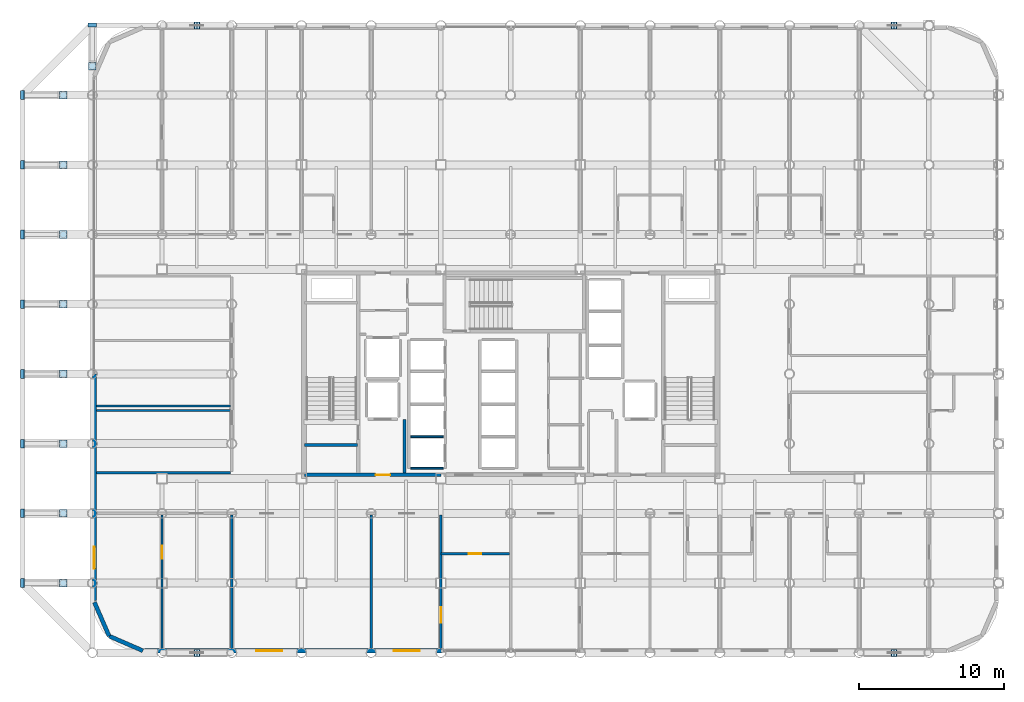
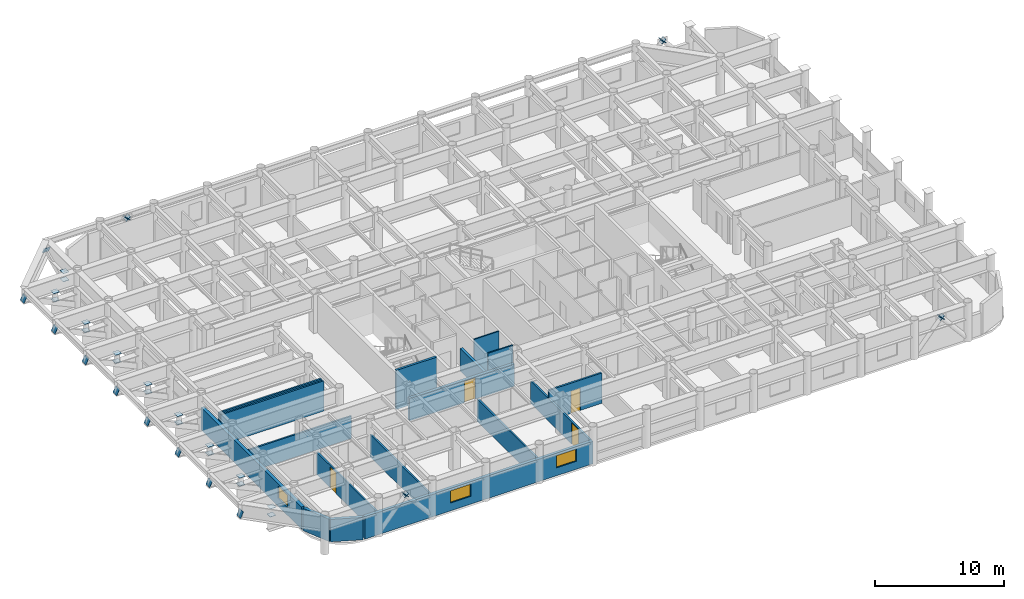
# One storey, part 17 of 23: 35 plates, 17 walls, 4 doors, 3 windows, 7 openings.
"""IFC4 building model written with IfcOpenShell, lengths in metres."""

from ifc_helpers import new_model, si_unit, direction, frame, frame_2d, origin, origin_2d, place, context, subcontext, project, spatial, polyline, rectangle, outline, extrude, material, layer, layer_set, type_object, element, fill, save


model = new_model("IFC4")

# Units and contexts
model_context = context("Model", 3, precision=1e-05, world=origin(), true_north=direction((0.0, 1.0)))
body_context = subcontext(model_context, "Body", "Model", "MODEL_VIEW")
ifc_project = project(units=[si_unit("LENGTHUNIT", "METRE"), si_unit("AREAUNIT", "SQUARE_METRE"), si_unit("VOLUMEUNIT", "CUBIC_METRE"), si_unit("PLANEANGLEUNIT", "RADIAN"), si_unit("MASSUNIT", "GRAM", prefix="KILO")], contexts=[model_context])

# Site, building, storey
site_placement = place(None, origin())
site = spatial("IfcSite", under=ifc_project, at=site_placement, CompositionType="ELEMENT")
building_placement = place(site_placement, origin())
building = spatial("IfcBuilding", under=site, at=building_placement, Name="Kallvorn Hotel Tower", CompositionType="ELEMENT")
storey_placement = place(building_placement, frame((0.0, 0.0, 121.10009765625)))
storey = spatial("IfcBuildingStorey", under=building, at=storey_placement, Name="L29", CompositionType="ELEMENT", Elevation=121.10009765625)

# Plates
ifc_material_1 = material(Name="Structural steel S355JR", Category="steel")
ifc_layer_1 = layer(ifc_material_1, 0.030029296875)
ifc_layer_set_1 = layer_set([ifc_layer_1], Name="PLT_CAP_30")
plate_type = type_object("IfcPlateType", Name="PLT_CAP_30", PredefinedType="SHEET", material=ifc_layer_set_1)
for number, where, z_axis, x_axis, name in (
    (1, (-30.800048828125, -14.39990234375, 1.3701171875), (0.0, 0.0, 1.0), (1.0, 0.0, 0.0), "L29 Prop Column End Cap Plate 01B"),
    (2, (-30.800048828125, -14.39990234375, 2.1396484375), (0.0, 0.0, 1.0), (1.0, 0.0, 0.0), "L29 Prop Column End Cap Plate 01T"),
):
    element("IfcPlate", number, at=place(storey_placement, frame(where, z_axis=z_axis, x_axis=x_axis)), inside=storey, type_object=plate_type, Name=name, PredefinedType="SHEET", context=body_context, shape_type="SweptSolid", body=[
        extrude(rectangle(XDim=0.52001953125, YDim=0.52001953125, at=origin_2d()), origin(), (0.0, 0.0, 1.0), 0.030029296875),
    ])
plate_1_placement = place(storey_placement, frame((-33.753173828125, -14.10009765625, 2.210205078125), z_axis=(-0.907601852185, 0.0, 0.419831963897), x_axis=(0.0, -1.0, 0.0)))
element("IfcPlate", 3, at=plate_1_placement, inside=storey, type_object=plate_type, Name="L29 Cantilever Strut Node Cap 01", PredefinedType="SHEET", context=body_context, shape_type="SweptSolid", body=[
    extrude(outline(polyline([(0.0, 0.0), (0.599853515625, 0.0), (0.599853515625, 0.6001284958416395), (0.0, 0.6001284958416395), (0.0, 0.0)])), origin(), (0.0, 0.0, -1.0), 0.030029296875),
])
for number, where, z_axis, x_axis, name in (
    (4, (-30.800048828125, -9.60009765625, 1.3701171875), (0.0, 0.0, 1.0), (1.0, 0.0, 0.0), "L29 Prop Column End Cap Plate 02B"),
    (5, (-30.800048828125, -9.60009765625, 2.1396484375), (0.0, 0.0, 1.0), (1.0, 0.0, 0.0), "L29 Prop Column End Cap Plate 02T"),
):
    element("IfcPlate", number, at=place(storey_placement, frame(where, z_axis=z_axis, x_axis=x_axis)), inside=storey, type_object=plate_type, Name=name, PredefinedType="SHEET", context=body_context, shape_type="SweptSolid", body=[
        extrude(rectangle(XDim=0.52001953125, YDim=0.52001953125, at=origin_2d()), origin(), (0.0, 0.0, 1.0), 0.030029296875),
    ])
plate_2_placement = place(storey_placement, frame((-33.753173828125, -9.300048828125, 2.210205078125), z_axis=(-0.907601852185, 0.0, 0.419831963897), x_axis=(0.0, -1.0, 0.0)))
element("IfcPlate", 6, at=plate_2_placement, inside=storey, type_object=plate_type, Name="L29 Cantilever Strut Node Cap 02", PredefinedType="SHEET", context=body_context, shape_type="SweptSolid", body=[
    extrude(outline(polyline([(0.0, 0.0), (0.599853515625, 0.0), (0.599853515625, 0.6001284958416395), (0.0, 0.6001284958416395), (0.0, 0.0)])), origin(), (0.0, 0.0, -1.0), 0.030029296875),
])
for number, where, z_axis, x_axis, name in (
    (7, (-30.800048828125, -4.800048828125, 1.3701171875), (0.0, 0.0, 1.0), (1.0, 0.0, 0.0), "L29 Prop Column End Cap Plate 03B"),
    (8, (-30.800048828125, -4.800048828125, 2.1396484375), (0.0, 0.0, 1.0), (1.0, 0.0, 0.0), "L29 Prop Column End Cap Plate 03T"),
):
    element("IfcPlate", number, at=place(storey_placement, frame(where, z_axis=z_axis, x_axis=x_axis)), inside=storey, type_object=plate_type, Name=name, PredefinedType="SHEET", context=body_context, shape_type="SweptSolid", body=[
        extrude(rectangle(XDim=0.52001953125, YDim=0.52001953125, at=origin_2d()), origin(), (0.0, 0.0, 1.0), 0.030029296875),
    ])
plate_3_placement = place(storey_placement, frame((-33.753173828125, -4.5, 2.210205078125), z_axis=(-0.907601852185, 0.0, 0.419831963897), x_axis=(0.0, -1.0, 0.0)))
element("IfcPlate", 9, at=plate_3_placement, inside=storey, type_object=plate_type, Name="L29 Cantilever Strut Node Cap 03", PredefinedType="SHEET", context=body_context, shape_type="SweptSolid", body=[
    extrude(outline(polyline([(0.0, 0.0), (0.60009765625, 0.0), (0.60009765625, 0.6001284958416395), (0.0, 0.6001284958416395), (0.0, 0.0)])), origin(), (0.0, 0.0, -1.0), 0.030029296875),
])
for number, where, z_axis, x_axis, name in (
    (10, (-30.800048828125, 0.0, 1.3701171875), (0.0, 0.0, 1.0), (1.0, 0.0, 0.0), "L29 Prop Column End Cap Plate 04B"),
    (11, (-30.800048828125, 0.0, 2.1396484375), (0.0, 0.0, 1.0), (1.0, 0.0, 0.0), "L29 Prop Column End Cap Plate 04T"),
):
    element("IfcPlate", number, at=place(storey_placement, frame(where, z_axis=z_axis, x_axis=x_axis)), inside=storey, type_object=plate_type, Name=name, PredefinedType="SHEET", context=body_context, shape_type="SweptSolid", body=[
        extrude(rectangle(XDim=0.52001953125, YDim=0.52001953125, at=origin_2d()), origin(), (0.0, 0.0, 1.0), 0.030029296875),
    ])
plate_4_placement = place(storey_placement, frame((-33.753173828125, 0.300048828125, 2.210205078125), z_axis=(-0.907601852185, 0.0, 0.419831963897), x_axis=(0.0, -1.0, 0.0)))
element("IfcPlate", 12, at=plate_4_placement, inside=storey, type_object=plate_type, Name="L29 Cantilever Strut Node Cap 04", PredefinedType="SHEET", context=body_context, shape_type="SweptSolid", body=[
    extrude(outline(polyline([(0.0, 0.0), (0.60009765625, 0.0), (0.60009765625, 0.6001284958416395), (0.0, 0.6001284958416395), (0.0, 0.0)])), origin(), (0.0, 0.0, -1.0), 0.030029296875),
])
for number, where, z_axis, x_axis, name in (
    (13, (-30.800048828125, 4.800048828125, 1.3701171875), (0.0, 0.0, 1.0), (1.0, 0.0, 0.0), "L29 Prop Column End Cap Plate 05B"),
    (14, (-30.800048828125, 4.800048828125, 2.1396484375), (0.0, 0.0, 1.0), (1.0, 0.0, 0.0), "L29 Prop Column End Cap Plate 05T"),
):
    element("IfcPlate", number, at=place(storey_placement, frame(where, z_axis=z_axis, x_axis=x_axis)), inside=storey, type_object=plate_type, Name=name, PredefinedType="SHEET", context=body_context, shape_type="SweptSolid", body=[
        extrude(rectangle(XDim=0.52001953125, YDim=0.52001953125, at=origin_2d()), origin(), (0.0, 0.0, 1.0), 0.030029296875),
    ])
plate_5_placement = place(storey_placement, frame((-33.753173828125, 5.10009765625, 2.210205078125), z_axis=(-0.907601852185, 0.0, 0.419831963897), x_axis=(0.0, -1.0, 0.0)))
element("IfcPlate", 15, at=plate_5_placement, inside=storey, type_object=plate_type, Name="L29 Cantilever Strut Node Cap 05", PredefinedType="SHEET", context=body_context, shape_type="SweptSolid", body=[
    extrude(outline(polyline([(0.0, 0.0), (0.60009765625, 0.0), (0.60009765625, 0.6001284958416395), (0.0, 0.6001284958416395), (0.0, 0.0)])), origin(), (0.0, 0.0, -1.0), 0.030029296875),
])
for number, where, z_axis, x_axis, name in (
    (16, (-30.800048828125, 9.60009765625, 1.3701171875), (0.0, 0.0, 1.0), (1.0, 0.0, 0.0), "L29 Prop Column End Cap Plate 06B"),
    (17, (-30.800048828125, 9.60009765625, 2.1396484375), (0.0, 0.0, 1.0), (1.0, 0.0, 0.0), "L29 Prop Column End Cap Plate 06T"),
):
    element("IfcPlate", number, at=place(storey_placement, frame(where, z_axis=z_axis, x_axis=x_axis)), inside=storey, type_object=plate_type, Name=name, PredefinedType="SHEET", context=body_context, shape_type="SweptSolid", body=[
        extrude(rectangle(XDim=0.52001953125, YDim=0.52001953125, at=origin_2d()), origin(), (0.0, 0.0, 1.0), 0.030029296875),
    ])
plate_6_placement = place(storey_placement, frame((-33.753173828125, 9.89990234375, 2.210205078125), z_axis=(-0.907601852185, 0.0, 0.419831963897), x_axis=(0.0, -1.0, 0.0)))
element("IfcPlate", 18, at=plate_6_placement, inside=storey, type_object=plate_type, Name="L29 Cantilever Strut Node Cap 06", PredefinedType="SHEET", context=body_context, shape_type="SweptSolid", body=[
    extrude(outline(polyline([(0.0, 0.0), (0.599853515625, 0.0), (0.599853515625, 0.6001284958416395), (0.0, 0.6001284958416395), (0.0, 0.0)])), origin(), (0.0, 0.0, -1.0), 0.030029296875),
])
for number, where, z_axis, x_axis, name in (
    (19, (-30.800048828125, 14.39990234375, 1.3701171875), (0.0, 0.0, 1.0), (1.0, 0.0, 0.0), "L29 Prop Column End Cap Plate 07B"),
    (20, (-30.800048828125, 14.39990234375, 2.1396484375), (0.0, 0.0, 1.0), (1.0, 0.0, 0.0), "L29 Prop Column End Cap Plate 07T"),
):
    element("IfcPlate", number, at=place(storey_placement, frame(where, z_axis=z_axis, x_axis=x_axis)), inside=storey, type_object=plate_type, Name=name, PredefinedType="SHEET", context=body_context, shape_type="SweptSolid", body=[
        extrude(rectangle(XDim=0.52001953125, YDim=0.52001953125, at=origin_2d()), origin(), (0.0, 0.0, 1.0), 0.030029296875),
    ])
plate_7_placement = place(storey_placement, frame((-33.753173828125, 14.699951171875, 2.210205078125), z_axis=(-0.907601852185, 0.0, 0.419831963897), x_axis=(0.0, -1.0, 0.0)))
element("IfcPlate", 21, at=plate_7_placement, inside=storey, type_object=plate_type, Name="L29 Cantilever Strut Node Cap 07", PredefinedType="SHEET", context=body_context, shape_type="SweptSolid", body=[
    extrude(outline(polyline([(0.0, 0.0), (0.599853515625, 0.0), (0.599853515625, 0.6001284958416395), (0.0, 0.6001284958416395), (0.0, 0.0)])), origin(), (0.0, 0.0, -1.0), 0.030029296875),
])
for number, where, z_axis, x_axis, name in (
    (22, (-30.800048828125, 19.199951171875, 1.3701171875), (0.0, 0.0, 1.0), (1.0, 0.0, 0.0), "L29 Prop Column End Cap Plate 08B"),
    (23, (-30.800048828125, 19.199951171875, 2.1396484375), (0.0, 0.0, 1.0), (1.0, 0.0, 0.0), "L29 Prop Column End Cap Plate 08T"),
):
    element("IfcPlate", number, at=place(storey_placement, frame(where, z_axis=z_axis, x_axis=x_axis)), inside=storey, type_object=plate_type, Name=name, PredefinedType="SHEET", context=body_context, shape_type="SweptSolid", body=[
        extrude(rectangle(XDim=0.52001953125, YDim=0.52001953125, at=origin_2d()), origin(), (0.0, 0.0, 1.0), 0.030029296875),
    ])
plate_8_placement = place(storey_placement, frame((-33.753173828125, 19.5, 2.210205078125), z_axis=(-0.907601852185, 0.0, 0.419831963897), x_axis=(0.0, -1.0, 0.0)))
element("IfcPlate", 24, at=plate_8_placement, inside=storey, type_object=plate_type, Name="L29 Cantilever Strut Node Cap 08", PredefinedType="SHEET", context=body_context, shape_type="SweptSolid", body=[
    extrude(outline(polyline([(0.0, 0.0), (0.60009765625, 0.0), (0.60009765625, 0.6001284958416395), (0.0, 0.6001284958416395), (0.0, 0.0)])), origin(), (0.0, 0.0, -1.0), 0.030029296875),
])
for number, where, z_axis, x_axis, name in (
    (25, (-28.800048828125, 21.199951171875, 1.3701171875), (0.0, 0.0, 1.0), (1.0, 0.0, 0.0), "L29 Prop Column End Cap Plate 09B"),
    (26, (-28.800048828125, 21.199951171875, 2.1396484375), (0.0, 0.0, 1.0), (1.0, 0.0, 0.0), "L29 Prop Column End Cap Plate 09T"),
):
    element("IfcPlate", number, at=place(storey_placement, frame(where, z_axis=z_axis, x_axis=x_axis)), inside=storey, type_object=plate_type, Name=name, PredefinedType="SHEET", context=body_context, shape_type="SweptSolid", body=[
        extrude(rectangle(XDim=0.52001953125, YDim=0.52001953125, at=origin_2d()), origin(), (0.0, 0.0, 1.0), 0.030029296875),
    ])
plate_9_placement = place(storey_placement, frame((-28.5, 24.1533203125, 2.210205078125), z_axis=(0.0, 0.907601852185, 0.419831963897), x_axis=(-1.0, 0.0, 0.0)))
element("IfcPlate", 27, at=plate_9_placement, inside=storey, type_object=plate_type, Name="L29 Cantilever Strut Node Cap 09", PredefinedType="SHEET", context=body_context, shape_type="SweptSolid", body=[
    extrude(outline(polyline([(0.0, 0.0), (0.60009765625, 0.0), (0.60009765625, 0.6001284958416395), (0.0, 0.6001284958416395), (0.0, 0.0)])), origin(), (0.0, 0.0, -1.0), 0.030029296875),
])
for number, where, z_axis, x_axis, name in (
    (28, (-21.407958984375, -19.443115234375, 2.860107421875), (0.646774094145, 0.0, 0.762681631575), (0.0, 1.0, 0.0), "EXO-L29-S1A End Cap Plate B"),
    (29, (-21.7919921875, -18.956787109375, 2.860107421875), (-0.646774094145, 0.0, 0.762681631575), (0.0, -1.0, 0.0), "EXO-L29-S1B End Cap Plate B"),
    (30, (26.592041015625, -19.443115234375, 2.860107421875), (0.646774094145, 0.0, 0.762681631575), (0.0, 1.0, 0.0), "EXO-L29-S2A End Cap Plate B"),
    (31, (26.2080078125, -18.956787109375, 2.860107421875), (-0.646774094145, 0.0, 0.762681631575), (0.0, -1.0, 0.0), "EXO-L29-S2B End Cap Plate B"),
    (32, (-21.407958984375, 23.7568359375, 2.860107421875), (0.646774094145, 0.0, 0.762681631575), (0.0, 1.0, 0.0), "EXO-L29-N1A End Cap Plate B"),
    (33, (-21.7919921875, 24.2431640625, 2.860107421875), (-0.646774094145, 0.0, 0.762681631575), (0.0, -1.0, 0.0), "EXO-L29-N1B End Cap Plate B"),
    (34, (26.592041015625, 23.7568359375, 2.860107421875), (0.646774094145, 0.0, 0.762681631575), (0.0, 1.0, 0.0), "EXO-L29-N2A End Cap Plate B"),
    (35, (26.2080078125, 24.2431640625, 2.860107421875), (-0.646774094145, 0.0, 0.762681631575), (0.0, -1.0, 0.0), "EXO-L29-N2B End Cap Plate B"),
):
    element("IfcPlate", number, at=place(storey_placement, frame(where, z_axis=z_axis, x_axis=x_axis)), inside=storey, type_object=plate_type, Name=name, PredefinedType="SHEET", context=body_context, shape_type="SweptSolid", body=[
        extrude(outline(polyline([(0.0, 0.0), (0.486328125, 0.0), (0.486328125, 0.4865644256220488), (0.0, 0.4865644256220488), (0.0, 0.0)])), origin(), (0.0, 0.0, -1.0), 0.030029296875),
    ])

# Wall, opening, door
ifc_material_2 = material(Name="Fire-rated double-layer acoustic gypsum drywall EI 60")
ifc_layer_2 = layer(ifc_material_2, 0.159912109375)
ifc_layer_set_2 = layer_set([ifc_layer_2], Name="WL_DEMISE_160")
wall_type_1 = type_object("IfcWallType", Name="WL_DEMISE_160", PredefinedType="PARTITIONING", material=ifc_layer_set_2)
wall_1_placement = place(storey_placement, frame((-4.800048828125, -12.3798828125, 0.0), z_axis=(0.0, 0.0, 1.0), x_axis=(1.0, 0.0, 0.0)))
wall_1 = element("IfcWall", 36, at=wall_1_placement, inside=storey, type_object=wall_type_1, Name="L29 Suite 2903 Executive Bedroom Partition", PredefinedType="PARTITIONING", context=body_context, shape_type="SweptSolid", body=[
    extrude(rectangle(XDim=4.719970703125, YDim=0.159912109375, at=frame_2d((2.35986328125, 0.0))), origin(), (0.0, 0.0, 1.0), 2.869873046875),
])
opening_1_placement = place(wall_1_placement, frame((1.929931640625, 0.0, 0.0)))
opening_1 = element("IfcOpeningElement", 37, at=opening_1_placement, cuts=wall_1, Name="Opening BD-I", PredefinedType="OPENING", context=body_context, shape_type="SweptSolid", body=[
    extrude(rectangle(XDim=0.860107421875, YDim=2.10009765625, at=frame_2d((0.43017578125, 1.050048828125))), frame((0.0, 0.094970703125, 0.0), z_axis=(0.0, -1.0, 0.0), x_axis=(1.0, 0.0, 0.0)), (0.0, 0.0, 1.0), 0.18994140625),
])
ifc_material_3 = material(Name="Solid-core walnut veneer fire-rated timber door leaf", Category="wood")
door_type_1 = type_object("IfcDoorType", Name="DR_BATH_860x2100", OperationType="NOTDEFINED", PredefinedType="DOOR", material=ifc_material_3)
door_1_placement = place(opening_1_placement, origin())
door_1 = element("IfcDoor", 38, at=door_1_placement, inside=storey, type_object=door_type_1, Name="L29 Suite 2903 En-Suite Bathroom Door", OperationType="SINGLE_SWING_RIGHT", OverallHeight=2.10009765625, OverallWidth=0.860107421875, PredefinedType="DOOR", context=body_context, shape_type="SweptSolid", body=[
    extrude(rectangle(XDim=0.860107421875, YDim=2.10009765625, at=frame_2d((0.43017578125, 1.050048828125))), frame((0.0, 0.02490234375, 0.0), z_axis=(0.0, -1.0, 0.0), x_axis=(1.0, 0.0, 0.0)), (0.0, 0.0, 1.0), 0.050048828125),
])
fill(opening_1, door_1)

# Wall
wall_2_placement = place(storey_placement, frame((-9.60009765625, -18.909912109375, 0.0), z_axis=(0.0, 0.0, 1.0), x_axis=(0.0, 1.0, 0.0)))
element("IfcWall", 39, at=wall_2_placement, inside=storey, type_object=wall_type_1, Name="L29 Suite 2903 Executive Living Salon Partition", PredefinedType="PARTITIONING", context=body_context, shape_type="SweptSolid", body=[
    extrude(rectangle(XDim=9.18994140625, YDim=0.159912109375, at=frame_2d((4.594970703125, 0.0))), origin(), (0.0, 0.0, 1.0), 2.119873046875),
])

# Wall, opening, door
wall_3_placement = place(storey_placement, frame((-4.800048828125, -18.909912109375, 0.0), z_axis=(0.0, 0.0, 1.0), x_axis=(0.0, 1.0, 0.0)))
wall_3 = element("IfcWall", 40, at=wall_3_placement, inside=storey, type_object=wall_type_1, Name="L29 Suite 2903 Executive Bedroom Partition", PredefinedType="PARTITIONING", context=body_context, shape_type="SweptSolid", body=[
    extrude(rectangle(XDim=9.18994140625, YDim=0.159912109375, at=frame_2d((4.594970703125, 0.0))), origin(), (0.0, 0.0, 1.0), 2.119873046875),
])
opening_2_placement = place(wall_3_placement, frame((1.79296875, 0.0, 0.0)))
opening_2 = element("IfcOpeningElement", 41, at=opening_2_placement, cuts=wall_3, Name="Opening GD2A", PredefinedType="OPENING", context=body_context, shape_type="SweptSolid", body=[
    extrude(rectangle(XDim=1.050048828125, YDim=2.02001953125, at=frame_2d((0.52490234375, 1.010009765625))), frame((0.0, 0.094970703125, 0.0), z_axis=(0.0, -1.0, 0.0), x_axis=(1.0, 0.0, 0.0)), (0.0, 0.0, 1.0), 0.18994140625),
])
ifc_material_4 = material(Name="Solid-core walnut veneer fire-rated timber door leaf", Category="wood")
door_type_2 = type_object("IfcDoorType", Name="DR_SUITE_1050x2020", OperationType="NOTDEFINED", PredefinedType="DOOR", material=ifc_material_4)
door_2_placement = place(opening_2_placement, origin())
door_2 = element("IfcDoor", 42, at=door_2_placement, inside=storey, type_object=door_type_2, Name="L29 Suite 2903 Executive Bedroom Door", OperationType="SINGLE_SWING_RIGHT", OverallHeight=2.02001953125, OverallWidth=1.050048828125, PredefinedType="DOOR", context=body_context, shape_type="SweptSolid", body=[
    extrude(rectangle(XDim=1.050048828125, YDim=2.02001953125, at=frame_2d((0.52490234375, 1.010009765625))), frame((0.0, 0.02490234375, 0.0), z_axis=(0.0, -1.0, 0.0), x_axis=(1.0, 0.0, 0.0)), (0.0, 0.0, 1.0), 0.050048828125),
])
fill(opening_2, door_2)

# Walls
ifc_material_5 = material(Name="Precast basalt-clad insulated concrete wall C40/50", Category="masonry")
ifc_layer_3 = layer(ifc_material_5, 0.280029296875)
ifc_layer_set_3 = layer_set([ifc_layer_3], Name="WL_EXT_LOGGIA_280")
wall_type_2 = type_object("IfcWallType", Name="WL_EXT_LOGGIA_280", PredefinedType="SOLIDWALL", material=ifc_layer_set_3)
wall_4_placement = place(storey_placement, frame((-28.657958984375, -15.720703125, 0.0), z_axis=(0.0, 0.0, 1.0), x_axis=(0.398792985289, -0.917040977756, 0.0)))
element("IfcWall", 43, at=wall_4_placement, inside=storey, type_object=wall_type_2, Name="L29 Rounded Corner Exterior Wall SW1", PredefinedType="SOLIDWALL", context=body_context, shape_type="SweptSolid", body=[
    extrude(rectangle(XDim=2.536376953125, YDim=0.280029296875, at=frame_2d((1.26806640625, 0.0))), origin(), (0.0, 0.0, 1.0), 2.119873046875),
])
wall_5_placement = place(storey_placement, frame((-27.646484375, -18.046630859375, 0.0), z_axis=(0.0, 0.0, 1.0), x_axis=(0.917060872934, -0.398747232384, 0.0)))
element("IfcWall", 44, at=wall_5_placement, inside=storey, type_object=wall_type_2, Name="L29 Rounded Corner Exterior Wall SW2", PredefinedType="SOLIDWALL", context=body_context, shape_type="SweptSolid", body=[
    extrude(rectangle(XDim=2.5361328125, YDim=0.280029296875, at=frame_2d((1.26806640625, 0.0))), origin(), (0.0, 0.0, 1.0), 2.119873046875),
])

# Wall, openings, windows
wall_6_placement = place(storey_placement, frame((-25.199951171875, -19.06005859375, 0.0), z_axis=(0.0, 0.0, 1.0), x_axis=(1.0, 0.0, 0.0)))
wall_6 = element("IfcWall", 45, at=wall_6_placement, inside=storey, type_object=wall_type_2, Name="L29 Exterior Envelope Wall EW-L29-SW", PredefinedType="SOLIDWALL", context=body_context, shape_type="SweptSolid", body=[
    extrude(rectangle(XDim=20.449951171875, YDim=0.280029296875, at=frame_2d((10.22509765625, 0.0))), origin(), (0.0, 0.0, 1.0), 2.119873046875),
])
opening_3_placement = place(wall_6_placement, frame((7.679931640625, 0.0, 0.75)))
opening_3 = element("IfcOpeningElement", 46, at=opening_3_placement, cuts=wall_6, Name="Opening W04A", PredefinedType="OPENING", context=body_context, shape_type="SweptSolid", body=[
    extrude(rectangle(XDim=1.800048828125, YDim=1.14990234375, at=frame_2d((0.89990234375, 0.574951171875))), frame((0.0, 0.155029296875, 0.0), z_axis=(0.0, -1.0, 0.0), x_axis=(1.0, 0.0, 0.0)), (0.0, 0.0, 1.0), 0.31005859375),
])
opening_4_placement = place(wall_6_placement, frame((17.139892578125, 0.0, 0.75)))
opening_4 = element("IfcOpeningElement", 47, at=opening_4_placement, cuts=wall_6, Name="Opening W04A", PredefinedType="OPENING", context=body_context, shape_type="SweptSolid", body=[
    extrude(rectangle(XDim=1.800048828125, YDim=1.14990234375, at=frame_2d((0.89990234375, 0.574951171875))), frame((0.0, 0.155029296875, 0.0), z_axis=(0.0, -1.0, 0.0), x_axis=(1.0, 0.0, 0.0)), (0.0, 0.0, 1.0), 0.31005859375),
])
ifc_material_6 = material(Name="Double-glazed low-e solar-control dark glass", Category="glass")
window_type_1 = type_object("IfcWindowType", Name="WN_HTL_1800x1150", PartitioningType="SINGLE_PANEL", PredefinedType="WINDOW", material=ifc_material_6)
window_1_placement = place(opening_3_placement, origin())
window_1 = element("IfcWindow", 48, at=window_1_placement, inside=storey, type_object=window_type_1, Name="L29 Guestroom Exterior Window 04", OverallHeight=1.14990234375, OverallWidth=1.800048828125, PartitioningType="SINGLE_PANEL", PredefinedType="WINDOW", context=body_context, shape_type="SweptSolid", body=[
    extrude(rectangle(XDim=1.800048828125, YDim=1.14990234375, at=frame_2d((0.89990234375, 0.574951171875))), frame((0.0, 0.030029296875, 0.0), z_axis=(0.0, -1.0, 0.0), x_axis=(1.0, 0.0, 0.0)), (0.0, 0.0, 1.0), 0.06005859375),
])
fill(opening_3, window_1)
window_2_placement = place(opening_4_placement, origin())
window_2 = element("IfcWindow", 49, at=window_2_placement, inside=storey, type_object=window_type_1, Name="L29 Guestroom Exterior Window 05", OverallHeight=1.14990234375, OverallWidth=1.800048828125, PartitioningType="SINGLE_PANEL", PredefinedType="WINDOW", context=body_context, shape_type="SweptSolid", body=[
    extrude(rectangle(XDim=1.800048828125, YDim=1.14990234375, at=frame_2d((0.89990234375, 0.574951171875))), frame((0.0, 0.030029296875, 0.0), z_axis=(0.0, -1.0, 0.0), x_axis=(1.0, 0.0, 0.0)), (0.0, 0.0, 1.0), 0.06005859375),
])
fill(opening_4, window_2)

# Wall, opening, window
wall_7_placement = place(storey_placement, frame((-28.659912109375, -15.60009765625, 0.0), z_axis=(0.0, 0.0, 1.0), x_axis=(0.0, 1.0, 0.0)))
wall_7 = element("IfcWall", 50, at=wall_7_placement, inside=storey, type_object=wall_type_2, Name="L29 Exterior Envelope Wall EW-L29-WS", PredefinedType="SOLIDWALL", context=body_context, shape_type="SweptSolid", body=[
    extrude(rectangle(XDim=15.580078125, YDim=0.280029296875, at=frame_2d((7.7900390625, 0.0))), origin(), (0.0, 0.0, 1.0), 2.119873046875),
])
opening_5_placement = place(wall_7_placement, frame((2.18994140625, 0.0, 0.75)))
opening_5 = element("IfcOpeningElement", 51, at=opening_5_placement, cuts=wall_7, Name="Opening W05A", PredefinedType="OPENING", context=body_context, shape_type="SweptSolid", body=[
    extrude(rectangle(XDim=1.5, YDim=1.14990234375, at=frame_2d((0.75, 0.574951171875))), frame((0.0, 0.155029296875, 0.0), z_axis=(0.0, -1.0, 0.0), x_axis=(1.0, 0.0, 0.0)), (0.0, 0.0, 1.0), 0.31005859375),
])
ifc_material_7 = material(Name="Double-glazed low-e solar-control dark glass", Category="glass")
window_type_2 = type_object("IfcWindowType", Name="WN_HTL_1500x1150", PartitioningType="SINGLE_PANEL", PredefinedType="WINDOW", material=ifc_material_7)
window_3_placement = place(opening_5_placement, origin())
window_3 = element("IfcWindow", 52, at=window_3_placement, inside=storey, type_object=window_type_2, Name="L29 Flank Wing Window 01", OverallHeight=1.14990234375, OverallWidth=1.5, PartitioningType="SINGLE_PANEL", PredefinedType="WINDOW", context=body_context, shape_type="SweptSolid", body=[
    extrude(rectangle(XDim=1.5, YDim=1.14990234375, at=frame_2d((0.75, 0.574951171875))), frame((0.0, 0.030029296875, 0.0), z_axis=(0.0, -1.0, 0.0), x_axis=(1.0, 0.0, 0.0)), (0.0, 0.0, 1.0), 0.06005859375),
])
fill(opening_5, window_3)

# Walls
ifc_material_8 = material(Name="Concrete C40/50", Category="concrete")
ifc_layer_4 = layer(ifc_material_8, 0.219970703125)
ifc_layer_set_4 = layer_set([ifc_layer_4], Name="WL_FFL_220")
wall_type_3 = type_object("IfcWallType", Name="WL_FFL_220", PredefinedType="SOLIDWALL", material=ifc_layer_set_4)
wall_8_placement = place(storey_placement, frame((-7.300048828125, -6.820068359375, 0.0), z_axis=(0.0, 0.0, 1.0), x_axis=(0.0, 1.0, 0.0)))
element("IfcWall", 53, at=wall_8_placement, inside=storey, type_object=wall_type_3, Name="L29 Firefighting Lobby West Divider Wall", PredefinedType="SOLIDWALL", context=body_context, shape_type="SweptSolid", body=[
    extrude(rectangle(XDim=3.670166015625, YDim=0.219970703125, at=frame_2d((1.8349609375, 0.0))), origin(), (0.0, 0.0, 1.0), 2.119873046875),
])
ifc_material_9 = material(Name="Concrete C40/50", Category="concrete")
ifc_layer_5 = layer(ifc_material_9, 0.199951171875)
ifc_layer_set_5 = layer_set([ifc_layer_5], Name="WL_HOIST_200")
wall_type_4 = type_object("IfcWallType", Name="WL_HOIST_200", PredefinedType="SOLIDWALL", material=ifc_layer_set_5)
wall_9_placement = place(storey_placement, frame((-14.199951171875, -4.89990234375, -0.18017578125), z_axis=(0.0, 0.0, 1.0), x_axis=(1.0, 0.0, 0.0)))
element("IfcWall", 54, at=wall_9_placement, inside=storey, type_object=wall_type_4, Name="L29 Stair ST1 South Wall", PredefinedType="SOLIDWALL", context=body_context, shape_type="SweptSolid", body=[
    extrude(rectangle(XDim=3.64990234375, YDim=0.199951171875, at=frame_2d((1.824951171875, 0.0))), origin(), (0.0, 0.0, 1.0), 3.7001953125),
])
ifc_material_10 = material(Name="Fire-rated double-layer acoustic gypsum drywall EI 60")
ifc_layer_6 = layer(ifc_material_10, 0.1201171875)
ifc_layer_set_6 = layer_set([ifc_layer_6], Name="WL_INT_120")
wall_type_5 = type_object("IfcWallType", Name="WL_INT_120", PredefinedType="PARTITIONING", material=ifc_layer_set_6)
for number, where, z_axis, x_axis, name in (
    (55, (-6.860107421875, -6.5, 0.0), (0.0, 0.0, 1.0), (1.0, 0.0, 0.0), "L29 Lift Bank B1 South Closure Wall"),
    (56, (-6.860107421875, -4.324951171875, 0.0), (0.0, 0.0, 1.0), (1.0, 0.0, 0.0), "L29 PL-01 Hoistway Divider"),
):
    element("IfcWall", number, at=place(storey_placement, frame(where, z_axis=z_axis, x_axis=x_axis)), inside=storey, type_object=wall_type_5, Name=name, PredefinedType="PARTITIONING", context=body_context, shape_type="SweptSolid", body=[
        extrude(rectangle(XDim=2.22021484375, YDim=0.1201171875, at=frame_2d((1.110107421875, 0.0))), origin(), (0.0, 0.0, 1.0), 3.52001953125),
    ])
ifc_material_11 = material(Name="Fire-rated double-layer acoustic gypsum drywall EI 60")
ifc_layer_7 = layer(ifc_material_11, 0.14990234375)
ifc_layer_set_7 = layer_set([ifc_layer_7], Name="WL_PART_150")
wall_type_6 = type_object("IfcWallType", Name="WL_PART_150", PredefinedType="PARTITIONING", material=ifc_layer_set_7)
wall_10_placement = place(storey_placement, frame((-28.510009765625, -6.800048828125, 0.0), z_axis=(0.0, 0.0, 1.0), x_axis=(1.0, 0.0, 0.0)))
element("IfcWall", 57, at=wall_10_placement, inside=storey, type_object=wall_type_6, Name="L29 L29 W South Tasting Bar Partition", PredefinedType="PARTITIONING", context=body_context, shape_type="SweptSolid", body=[
    extrude(rectangle(XDim=9.22998046875, YDim=0.14990234375, at=frame_2d((4.614990234375, 0.0))), origin(), (0.0, 0.0, 1.0), 2.119873046875),
])
for number, where, z_axis, x_axis, name in (
    (58, (-28.510009765625, -2.52490234375, 0.0), (0.0, 0.0, 1.0), (1.0, 0.0, 0.0), "L29 L29 W South Tasting Bar Partition"),
    (59, (-28.510009765625, -2.199951171875, 0.0), (0.0, 0.0, 1.0), (1.0, 0.0, 0.0), "L29 L29 W Central Reading Gallery Partition"),
):
    element("IfcWall", number, at=place(storey_placement, frame(where, z_axis=z_axis, x_axis=x_axis)), inside=storey, type_object=wall_type_6, Name=name, PredefinedType="PARTITIONING", context=body_context, shape_type="SweptSolid", body=[
        extrude(rectangle(XDim=9.22998046875, YDim=0.14990234375, at=frame_2d((4.614990234375, 0.0))), origin(), (0.0, 0.0, 1.0), 2.869873046875),
    ])

# Wall, opening, door
wall_11_placement = place(storey_placement, frame((-24.0, -18.909912109375, 0.0), z_axis=(0.0, 0.0, 1.0), x_axis=(0.0, 1.0, 0.0)))
wall_11 = element("IfcWall", 60, at=wall_11_placement, inside=storey, type_object=wall_type_6, Name="L29 L29 South-West Botanical Bar A Partition", PredefinedType="PARTITIONING", context=body_context, shape_type="SweptSolid", body=[
    extrude(rectangle(XDim=9.18994140625, YDim=0.14990234375, at=frame_2d((4.594970703125, 0.0))), origin(), (0.0, 0.0, 1.0), 2.119873046875),
])
opening_6_placement = place(wall_11_placement, frame((6.18212890625, 0.0, 0.0)))
opening_6 = element("IfcOpeningElement", 61, at=opening_6_placement, cuts=wall_11, Name="Opening SVD1A", PredefinedType="OPENING", context=body_context, shape_type="SweptSolid", body=[
    extrude(rectangle(XDim=0.89990234375, YDim=2.02001953125, at=frame_2d((0.449951171875, 1.010009765625))), frame((0.0, 0.08984375, 0.0), z_axis=(0.0, -1.0, 0.0), x_axis=(1.0, 0.0, 0.0)), (0.0, 0.0, 1.0), 0.179931640625),
])
ifc_material_12 = material(Name="Galvanised painted steel fire-rated door assembly", Category="steel")
door_type_3 = type_object("IfcDoorType", Name="DR_SERV_900x2020", OperationType="NOTDEFINED", PredefinedType="DOOR", material=ifc_material_12)
door_3_placement = place(opening_6_placement, origin())
door_3 = element("IfcDoor", 62, at=door_3_placement, inside=storey, type_object=door_type_3, Name="L29 L29 South-West Botanical Bar A Door", OperationType="SINGLE_SWING_LEFT", OverallHeight=2.02001953125, OverallWidth=0.89990234375, PredefinedType="DOOR", context=body_context, shape_type="SweptSolid", body=[
    extrude(rectangle(XDim=0.89990234375, YDim=2.02001953125, at=frame_2d((0.449951171875, 1.010009765625))), frame((0.0, 0.02490234375, 0.0), z_axis=(0.0, -1.0, 0.0), x_axis=(1.0, 0.0, 0.0)), (0.0, 0.0, 1.0), 0.050048828125),
])
fill(opening_6, door_3)

# Wall
wall_12_placement = place(storey_placement, frame((-19.199951171875, -18.909912109375, 0.0), z_axis=(0.0, 0.0, 1.0), x_axis=(0.0, 1.0, 0.0)))
element("IfcWall", 63, at=wall_12_placement, inside=storey, type_object=wall_type_6, Name="L29 L29 Cordillera Botanical Tea Salon 1 Partition", PredefinedType="PARTITIONING", context=body_context, shape_type="SweptSolid", body=[
    extrude(rectangle(XDim=9.18994140625, YDim=0.14990234375, at=frame_2d((4.594970703125, 0.0))), origin(), (0.0, 0.0, 1.0), 2.119873046875),
])

# Wall, opening, door
ifc_material_13 = material(Name="Concrete C40/50", Category="concrete")
ifc_layer_8 = layer(ifc_material_13, 0.25)
ifc_layer_set_8 = layer_set([ifc_layer_8], Name="WL_SHAFT_250")
wall_type_7 = type_object("IfcWallType", Name="WL_SHAFT_250", PredefinedType="SOLIDWALL", material=ifc_layer_set_8)
wall_13_placement = place(storey_placement, frame((-14.199951171875, -6.949951171875, 0.0), z_axis=(0.0, 0.0, 1.0), x_axis=(1.0, 0.0, 0.0)))
wall_13 = element("IfcWall", 64, at=wall_13_placement, inside=storey, type_object=wall_type_7, Name="L29 Core South-West Wall", PredefinedType="SOLIDWALL", context=body_context, shape_type="SweptSolid", body=[
    extrude(rectangle(XDim=9.39990234375, YDim=0.25, at=frame_2d((4.699951171875, 0.0))), origin(), (0.0, 0.0, 1.0), 2.119873046875),
])
opening_7_placement = place(wall_13_placement, frame((4.89990234375, 0.0, 0.0)))
opening_7 = element("IfcOpeningElement", 65, at=opening_7_placement, cuts=wall_13, Name="Opening FD1A", PredefinedType="OPENING", context=body_context, shape_type="SweptSolid", body=[
    extrude(rectangle(XDim=1.0, YDim=2.02001953125, at=frame_2d((0.5, 1.010009765625))), frame((0.0, 0.139892578125, 0.0), z_axis=(0.0, -1.0, 0.0), x_axis=(1.0, 0.0, 0.0)), (0.0, 0.0, 1.0), 0.280029296875),
])
ifc_material_14 = material(Name="Galvanised painted steel fire-rated door assembly", Category="steel")
door_type_4 = type_object("IfcDoorType", Name="DR_FFL_1000x2020", OperationType="NOTDEFINED", PredefinedType="DOOR", material=ifc_material_14)
door_4_placement = place(opening_7_placement, origin())
door_4 = element("IfcDoor", 66, at=door_4_placement, inside=storey, type_object=door_type_4, Name="L29 Firefighting Lobby West Door", OperationType="SINGLE_SWING_RIGHT", OverallHeight=2.02001953125, OverallWidth=1.0, PredefinedType="DOOR", context=body_context, shape_type="SweptSolid", body=[
    extrude(rectangle(XDim=1.0, YDim=2.02001953125, at=frame_2d((0.5, 1.010009765625))), frame((0.0, 0.02490234375, 0.0), z_axis=(0.0, -1.0, 0.0), x_axis=(1.0, 0.0, 0.0)), (0.0, 0.0, 1.0), 0.050048828125),
])
fill(opening_7, door_4)

save(model, "model.ifc")
